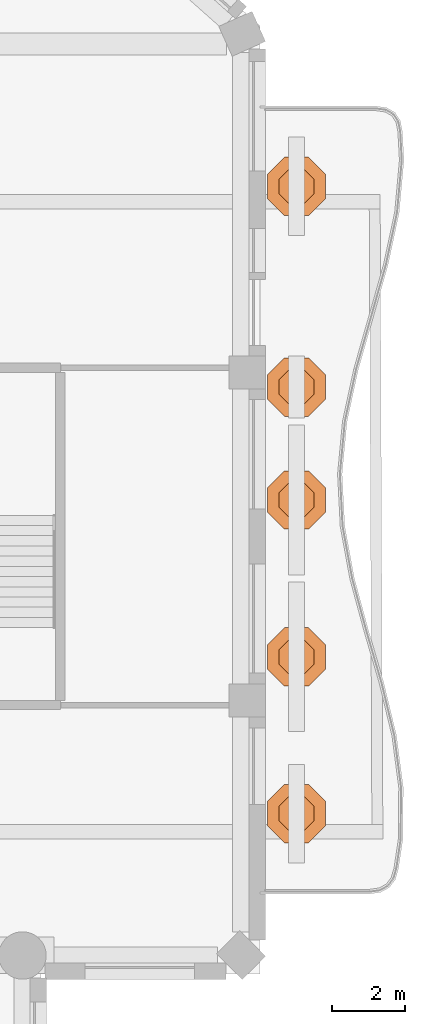
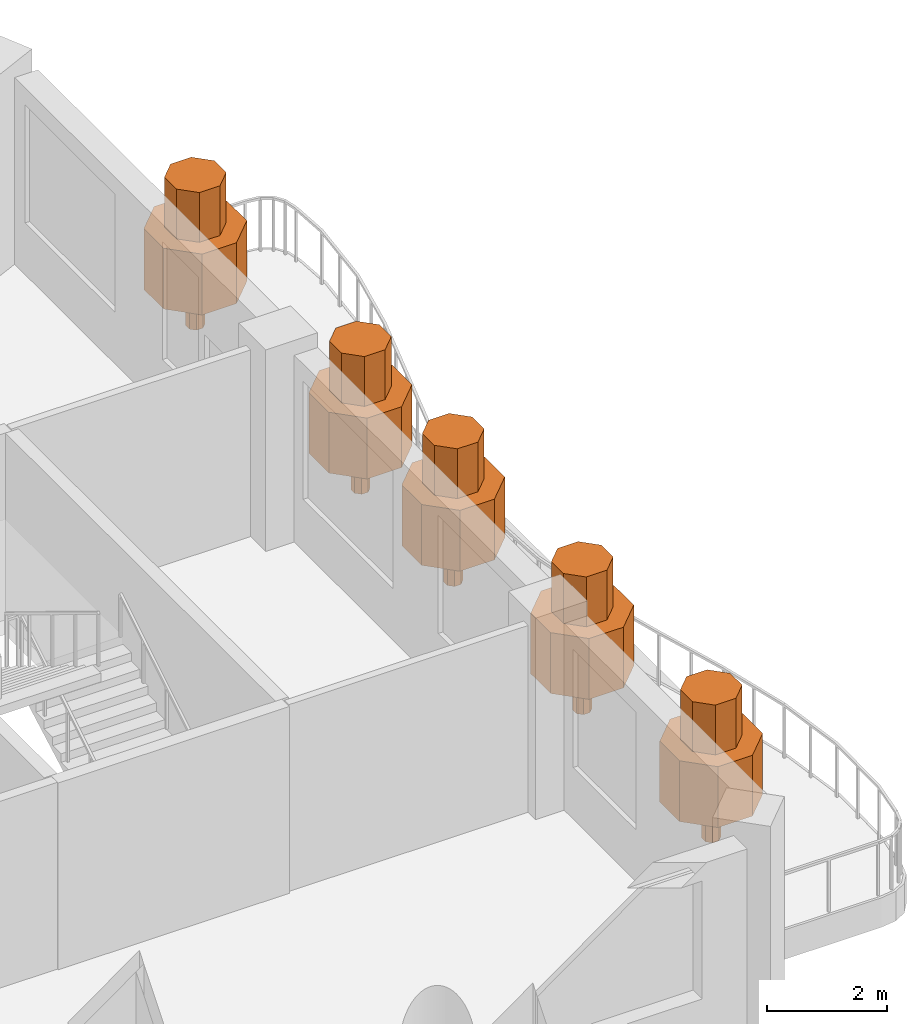
# One storey, part 15 of 15: 5 geographic elements.
"""IFC4 building model written with IfcOpenShell, lengths in metres."""

import ifcopenshell
import ifcopenshell.guid

model = None  # the IFC model being written
_history = None  # IfcOwnerHistory: only IFC2X3 demands one
_inside = {}  # id of a spatial element -> (the spatial element, [elements in it])
_under = {}  # id of a project, library or spatial element -> (it, [spatial elements below it])
_declared = {}  # id of a project -> (the project, [libraries it declares])
_typed = {}  # id of a type object -> (the type object, [elements of that type])
_made_of = {}  # id of a material, layer set ... -> (it, [elements and type objects made of it])


def new_model(schema):
    """Start an empty IFC model of exactly this schema.

    Asked for "IFC4X3", IfcOpenShell would pick the latest addendum, in which some entities
    have other attributes; the version numbers below select the first issue.
    IFC2X3 requires an IfcOwnerHistory on every rooted entity: one is made here for all.
    """
    global model, _history
    if schema == "IFC4X3":
        model = ifcopenshell.file(schema_version=(4, 3, 0, 0))
    else:
        model = ifcopenshell.file(schema=schema)
    _inside.clear()
    _under.clear()
    _declared.clear()
    _typed.clear()
    _made_of.clear()
    _history = None
    if model.schema == "IFC2X3":
        org = make("IfcOrganization", Name="unknown")
        user = make(
            "IfcPersonAndOrganization",
            ThePerson=make("IfcPerson", FamilyName="unknown"),
            TheOrganization=org,
        )
        app = make(
            "IfcApplication",
            ApplicationDeveloper=org,
            Version="unknown",
            ApplicationFullName="unknown",
            ApplicationIdentifier="unknown",
        )
        _history = make(
            "IfcOwnerHistory",
            OwningUser=user,
            OwningApplication=app,
            ChangeAction="ADDED",
            CreationDate=0,
        )
    return model


def make(cls, **values):
    """One entity of the class cls with the attributes given. An attribute that is None is left unset."""
    return model.create_entity(
        cls, **{name: value for name, value in values.items() if value is not None}
    )


def rooted(cls, **values):
    """An entity with a GlobalId (a new one), such as an element, a storey or a relation."""
    return make(cls, GlobalId=ifcopenshell.guid.new(), OwnerHistory=_history, **values)


def si_unit(unit_type, name, prefix=None):
    """IfcSIUnit, for example si_unit("LENGTHUNIT", "METRE", prefix="MILLI")."""
    return make("IfcSIUnit", UnitType=unit_type, Prefix=prefix, Name=name)


def assignment(units):
    """IfcUnitAssignment: the units of a project."""
    return None if units is None else make("IfcUnitAssignment", Units=units)


def point(xyz):
    """IfcCartesianPoint."""
    return None if xyz is None else make("IfcCartesianPoint", Coordinates=xyz)


def direction(xyz):
    """IfcDirection."""
    return None if xyz is None else make("IfcDirection", DirectionRatios=xyz)


def frame(location, z_axis=None, x_axis=None):
    """IfcAxis2Placement3D, a coordinate frame: its origin and axes. An axis left out is left unset."""
    return make(
        "IfcAxis2Placement3D",
        Location=point(location),
        Axis=direction(z_axis),
        RefDirection=direction(x_axis),
    )


def origin():
    """The frame at (0, 0, 0) with its axes left unset."""
    return frame((0.0, 0.0, 0.0))


def place(relative_to, where):
    """IfcLocalPlacement: puts the frame where relative to a parent placement (None: the world)."""
    return make(
        "IfcLocalPlacement", PlacementRelTo=relative_to, RelativePlacement=where
    )


def context(
    kind, dimensions, precision=None, world=None, true_north=None, identifier=None
):
    """IfcGeometricRepresentationContext, for example the 3D "Model" context."""
    return make(
        "IfcGeometricRepresentationContext",
        ContextIdentifier=identifier,
        ContextType=kind,
        CoordinateSpaceDimension=dimensions,
        Precision=precision,
        WorldCoordinateSystem=world,
        TrueNorth=true_north,
    )


def subcontext(parent, identifier, kind, view, scale=None):
    """IfcGeometricRepresentationSubContext, for example "Body" below "Model"."""
    return make(
        "IfcGeometricRepresentationSubContext",
        ContextIdentifier=identifier,
        ContextType=kind,
        ParentContext=parent,
        TargetScale=scale,
        TargetView=view,
    )


def project(units=None, contexts=None):
    """IfcProject with its units and contexts."""
    return rooted(
        "IfcProject",
        Name="project",
        RepresentationContexts=contexts,
        UnitsInContext=assignment(units),
    )


def spatial(cls, under=None, at=None, **own):
    """A site, building, storey or space (cls), placed at a placement, below another one or the project."""
    s = rooted(cls, ObjectPlacement=at, **own)
    if under is not None:
        _under.setdefault(under.id(), (under, []))[1].append(s)
    return s


def polyline(points):
    """IfcPolyline through the points."""
    return make("IfcPolyline", Points=[point(p) for p in points])


def outline(outer, holes=None, kind="AREA"):
    """IfcArbitraryClosedProfileDef: a profile drawn as a closed curve; with holes, ...WithVoids."""
    if holes is None:
        return make("IfcArbitraryClosedProfileDef", ProfileType=kind, OuterCurve=outer)
    return make(
        "IfcArbitraryProfileDefWithVoids",
        ProfileType=kind,
        OuterCurve=outer,
        InnerCurves=holes,
    )


def extrude(swept, where, along, depth):
    """IfcExtrudedAreaSolid: the profile swept, set in the frame where, extruded along a direction by depth."""
    return make(
        "IfcExtrudedAreaSolid",
        SweptArea=swept,
        Position=where,
        ExtrudedDirection=direction(along),
        Depth=depth,
    )


def shape(context_of_items, identifier, shape_type, items):
    """IfcShapeRepresentation: the items that make up one representation, for example the "Body"."""
    return make(
        "IfcShapeRepresentation",
        ContextOfItems=context_of_items,
        RepresentationIdentifier=identifier,
        RepresentationType=shape_type,
        Items=items,
    )


def material(Name=None, Category=None):
    """IfcMaterial."""
    return make("IfcMaterial", Name=Name, Category=Category)


def made_of(thing, what):
    """Note that an element or type object is made of a material, layer set ...; save() writes the relation."""
    if what is not None:
        _made_of.setdefault(what.id(), (what, []))[1].append(thing)
    return thing


def type_object(cls, material=None, **own):
    """A type object (cls), such as IfcWallType, which elements share."""
    return made_of(rooted(cls, **own), material)


def element(
    cls,
    number,
    at=None,
    inside=None,
    cuts=None,
    type_object=None,
    material=None,
    context=None,
    identifier="Body",
    shape_type=None,
    held_by="IfcProductDefinitionShape",
    body=None,
    shapes=None,
    **own,
):
    """One element of the class cls, such as IfcWall. Its Tag is "e" and its number.

    at: its placement. inside: the storey or other place that contains it. cuts: it is an
    opening in that element (IfcRelVoidsElement). A single representation is given by context,
    identifier, shape_type and body (its items); several are given by shapes. held_by: the class
    of the entity that holds the representations. save() writes the other relations.
    """
    e = rooted(cls, Tag="e%d" % number, ObjectPlacement=at, **own)
    if body is not None:
        shapes = [shape(context, identifier, shape_type, body)]
    if shapes is not None:
        e.Representation = make(held_by, Representations=shapes)
    if inside is not None:
        _inside.setdefault(inside.id(), (inside, []))[1].append(e)
    if cuts is not None:
        rooted(
            "IfcRelVoidsElement", RelatingBuildingElement=cuts, RelatedOpeningElement=e
        )
    if type_object is not None:
        _typed.setdefault(type_object.id(), (type_object, []))[1].append(e)
    return made_of(e, material)


def aggregate(whole, parts):
    """IfcRelAggregates: a whole, such as a stair, and the parts it consists of."""
    return rooted("IfcRelAggregates", RelatingObject=whole, RelatedObjects=parts)


def save(model, path):
    """Write the relations noted so far, then the file.

    IfcRelAggregates (storeys below a building ...), IfcRelContainedInSpatialStructure (elements
    in a storey), IfcRelDefinesByType, IfcRelAssociatesMaterial and IfcRelDeclares: one each for
    every whole, place, type object, material and project.
    """
    for whole, parts in _under.values():
        aggregate(whole, parts)
    for where, things in _inside.values():
        rooted(
            "IfcRelContainedInSpatialStructure",
            RelatedElements=things,
            RelatingStructure=where,
        )
    for kind, things in _typed.values():
        rooted("IfcRelDefinesByType", RelatedObjects=things, RelatingType=kind)
    for what, things in _made_of.values():
        rooted("IfcRelAssociatesMaterial", RelatedObjects=things, RelatingMaterial=what)
    for by, libraries in _declared.values():
        rooted("IfcRelDeclares", RelatingContext=by, RelatedDefinitions=libraries)
    model.write(path)


model = new_model("IFC4")

# Units and contexts
model_context = context("Model", 3, precision=1e-05, world=origin(), true_north=direction((0.0, 1.0)))
body_context = subcontext(model_context, "Body", "Model", "MODEL_VIEW")
ifc_project = project(units=[si_unit("LENGTHUNIT", "METRE"), si_unit("AREAUNIT", "SQUARE_METRE"), si_unit("VOLUMEUNIT", "CUBIC_METRE"), si_unit("PLANEANGLEUNIT", "RADIAN"), si_unit("MASSUNIT", "GRAM", prefix="KILO")], contexts=[model_context])

# Site, building, storey
site_placement = place(None, origin())
site = spatial("IfcSite", under=ifc_project, at=site_placement, CompositionType="ELEMENT")
building_placement = place(site_placement, origin())
building = spatial("IfcBuilding", under=site, at=building_placement, Name="Cypress Arch Tower", CompositionType="ELEMENT")
storey_placement = place(building_placement, frame((0.0, 0.0, 243.39990234375)))
storey = spatial("IfcBuildingStorey", under=building, at=storey_placement, Name="L54", CompositionType="ELEMENT", Elevation=243.39990234375)

# Geographic elements
ifc_material = material(Name="Foliage and planting")
geographic_element_type = type_object("IfcGeographicElementType", Name="Balcony tree TR", PredefinedType="USERDEFINED", material=ifc_material)
for number, where, z_axis, x_axis, name in (
    (1, (25.60009765625, -7.60009765625, 0.60009765625), (0.0, 0.0, 1.0), (1.0, 0.0, 0.0), "Balcony tree L54-C17.1"),
    (2, (25.60009765625, -3.300048828125, 0.60009765625), (0.0, 0.0, 1.0), (1.0, 0.0, 0.0), "Balcony tree L54-C17.2"),
    (3, (25.60009765625, 1.0, 0.60009765625), (0.0, 0.0, 1.0), (1.0, 0.0, 0.0), "Balcony tree L54-C17.3"),
    (4, (25.60009765625, 4.095703125, 0.60009765625), (0.0, 0.0, 1.0), (1.0, 0.0, 0.0), "Balcony tree L54-C17.4"),
    (5, (25.60009765625, 9.60009765625, 0.60009765625), (0.0, 0.0, 1.0), (1.0, 0.0, 0.0), "Balcony tree L54-C17.5"),
):
    element("IfcGeographicElement", number, at=place(storey_placement, frame(where, z_axis=z_axis, x_axis=x_axis)), inside=storey, type_object=geographic_element_type, Name=name, ObjectType="TREE", PredefinedType="USERDEFINED", context=body_context, shape_type="SweptSolid", body=[
        extrude(outline(polyline([(0.14990234375, 0.06201171875), (0.06201171875, 0.14990234375), (-0.06201171875, 0.14990234375), (-0.14990234375, 0.06201171875), (-0.14990234375, -0.06201171875), (-0.06201171875, -0.14990234375), (0.06201171875, -0.14990234375), (0.14990234375, -0.06201171875), (0.14990234375, 0.06201171875)])), origin(), (0.0, 0.0, 1.0), 0.89990234375),
        extrude(outline(polyline([(0.800048828125, 0.331298828125), (0.331298828125, 0.800048828125), (-0.331298828125, 0.800048828125), (-0.800048828125, 0.331298828125), (-0.800048828125, -0.331298828125), (-0.331298828125, -0.800048828125), (0.331298828125, -0.800048828125), (0.800048828125, -0.331298828125), (0.800048828125, 0.331298828125)])), frame((0.0, 0.0, 0.800048828125)), (0.0, 0.0, 1.0), 1.237548828125),
        extrude(outline(polyline([(0.47998046875, 0.19873046875), (0.19873046875, 0.47998046875), (-0.19873046875, 0.47998046875), (-0.47998046875, 0.19873046875), (-0.47998046875, -0.19873046875), (-0.19873046875, -0.47998046875), (0.19873046875, -0.47998046875), (0.47998046875, -0.19873046875), (0.47998046875, 0.19873046875)])), frame((0.0, 0.0, 2.03759765625)), (0.0, 0.0, 1.0), 1.012451171875),
    ])

save(model, "model.ifc")
